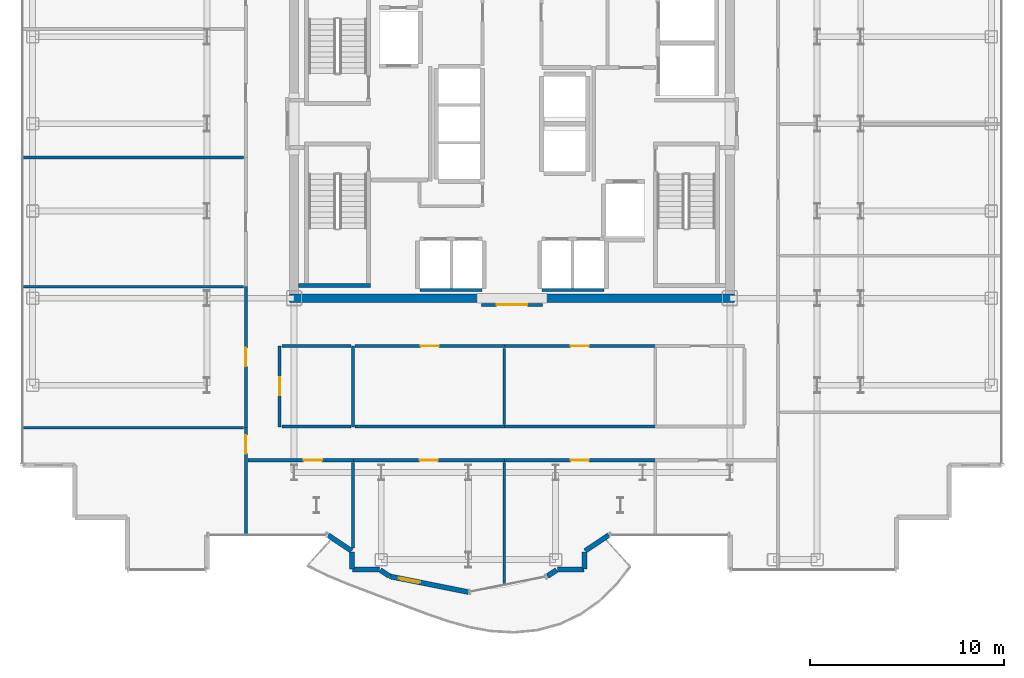
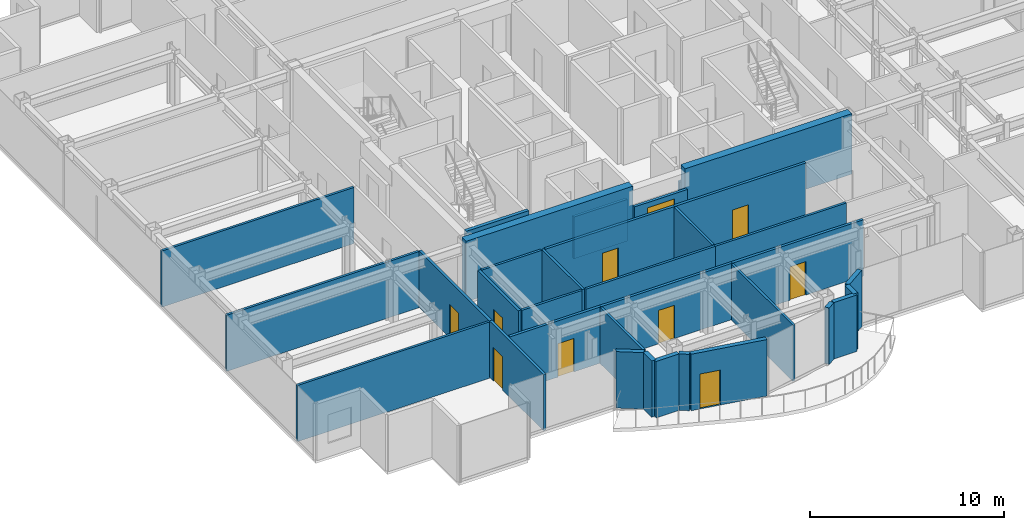
# One storey, part 14 of 21: 34 walls, 10 doors, 10 openings.
"""IFC4 building model written with IfcOpenShell, lengths in metres."""

import ifcopenshell
import ifcopenshell.guid

model = None  # the IFC model being written
_history = None  # IfcOwnerHistory: only IFC2X3 demands one
_inside = {}  # id of a spatial element -> (the spatial element, [elements in it])
_under = {}  # id of a project, library or spatial element -> (it, [spatial elements below it])
_declared = {}  # id of a project -> (the project, [libraries it declares])
_typed = {}  # id of a type object -> (the type object, [elements of that type])
_made_of = {}  # id of a material, layer set ... -> (it, [elements and type objects made of it])


def new_model(schema):
    """Start an empty IFC model of exactly this schema.

    Asked for "IFC4X3", IfcOpenShell would pick the latest addendum, in which some entities
    have other attributes; the version numbers below select the first issue.
    IFC2X3 requires an IfcOwnerHistory on every rooted entity: one is made here for all.
    """
    global model, _history
    if schema == "IFC4X3":
        model = ifcopenshell.file(schema_version=(4, 3, 0, 0))
    else:
        model = ifcopenshell.file(schema=schema)
    _inside.clear()
    _under.clear()
    _declared.clear()
    _typed.clear()
    _made_of.clear()
    _history = None
    if model.schema == "IFC2X3":
        org = make("IfcOrganization", Name="unknown")
        user = make(
            "IfcPersonAndOrganization",
            ThePerson=make("IfcPerson", FamilyName="unknown"),
            TheOrganization=org,
        )
        app = make(
            "IfcApplication",
            ApplicationDeveloper=org,
            Version="unknown",
            ApplicationFullName="unknown",
            ApplicationIdentifier="unknown",
        )
        _history = make(
            "IfcOwnerHistory",
            OwningUser=user,
            OwningApplication=app,
            ChangeAction="ADDED",
            CreationDate=0,
        )
    return model


def make(cls, **values):
    """One entity of the class cls with the attributes given. An attribute that is None is left unset."""
    return model.create_entity(
        cls, **{name: value for name, value in values.items() if value is not None}
    )


def rooted(cls, **values):
    """An entity with a GlobalId (a new one), such as an element, a storey or a relation."""
    return make(cls, GlobalId=ifcopenshell.guid.new(), OwnerHistory=_history, **values)


def si_unit(unit_type, name, prefix=None):
    """IfcSIUnit, for example si_unit("LENGTHUNIT", "METRE", prefix="MILLI")."""
    return make("IfcSIUnit", UnitType=unit_type, Prefix=prefix, Name=name)


def assignment(units):
    """IfcUnitAssignment: the units of a project."""
    return None if units is None else make("IfcUnitAssignment", Units=units)


def point(xyz):
    """IfcCartesianPoint."""
    return None if xyz is None else make("IfcCartesianPoint", Coordinates=xyz)


def direction(xyz):
    """IfcDirection."""
    return None if xyz is None else make("IfcDirection", DirectionRatios=xyz)


def frame(location, z_axis=None, x_axis=None):
    """IfcAxis2Placement3D, a coordinate frame: its origin and axes. An axis left out is left unset."""
    return make(
        "IfcAxis2Placement3D",
        Location=point(location),
        Axis=direction(z_axis),
        RefDirection=direction(x_axis),
    )


def frame_2d(location, x_axis=None):
    """IfcAxis2Placement2D, a coordinate frame in the plane: its origin and x axis."""
    return make(
        "IfcAxis2Placement2D", Location=point(location), RefDirection=direction(x_axis)
    )


def origin():
    """The frame at (0, 0, 0) with its axes left unset."""
    return frame((0.0, 0.0, 0.0))


def place(relative_to, where):
    """IfcLocalPlacement: puts the frame where relative to a parent placement (None: the world)."""
    return make(
        "IfcLocalPlacement", PlacementRelTo=relative_to, RelativePlacement=where
    )


def context(
    kind, dimensions, precision=None, world=None, true_north=None, identifier=None
):
    """IfcGeometricRepresentationContext, for example the 3D "Model" context."""
    return make(
        "IfcGeometricRepresentationContext",
        ContextIdentifier=identifier,
        ContextType=kind,
        CoordinateSpaceDimension=dimensions,
        Precision=precision,
        WorldCoordinateSystem=world,
        TrueNorth=true_north,
    )


def subcontext(parent, identifier, kind, view, scale=None):
    """IfcGeometricRepresentationSubContext, for example "Body" below "Model"."""
    return make(
        "IfcGeometricRepresentationSubContext",
        ContextIdentifier=identifier,
        ContextType=kind,
        ParentContext=parent,
        TargetScale=scale,
        TargetView=view,
    )


def project(units=None, contexts=None):
    """IfcProject with its units and contexts."""
    return rooted(
        "IfcProject",
        Name="project",
        RepresentationContexts=contexts,
        UnitsInContext=assignment(units),
    )


def spatial(cls, under=None, at=None, **own):
    """A site, building, storey or space (cls), placed at a placement, below another one or the project."""
    s = rooted(cls, ObjectPlacement=at, **own)
    if under is not None:
        _under.setdefault(under.id(), (under, []))[1].append(s)
    return s


def profile(cls, at=None, kind="AREA", **sizes):
    """A parametric profile (cls). Its sizes go by their IFC names, for example OverallWidth=200.0."""
    return make(cls, ProfileType=kind, Position=at, **sizes)


def rectangle(**sizes):
    """IfcRectangleProfileDef."""
    return profile("IfcRectangleProfileDef", **sizes)


def extrude(swept, where, along, depth):
    """IfcExtrudedAreaSolid: the profile swept, set in the frame where, extruded along a direction by depth."""
    return make(
        "IfcExtrudedAreaSolid",
        SweptArea=swept,
        Position=where,
        ExtrudedDirection=direction(along),
        Depth=depth,
    )


def shape(context_of_items, identifier, shape_type, items):
    """IfcShapeRepresentation: the items that make up one representation, for example the "Body"."""
    return make(
        "IfcShapeRepresentation",
        ContextOfItems=context_of_items,
        RepresentationIdentifier=identifier,
        RepresentationType=shape_type,
        Items=items,
    )


def source(mapping_origin, context_of_items, identifier, shape_type, items):
    """IfcRepresentationMap: a shape defined once, which mapped items show again and again."""
    return make(
        "IfcRepresentationMap",
        MappingOrigin=mapping_origin,
        MappedRepresentation=shape(context_of_items, identifier, shape_type, items),
    )


def transform(
    local_origin,
    x_axis=None,
    y_axis=None,
    z_axis=None,
    scale=None,
    scale2=None,
    scale3=None,
    uniform=True,
):
    """IfcCartesianTransformationOperator3D, or its non-uniform kind. x_axis, y_axis, z_axis: its Axis1, 2, 3."""
    if uniform:
        return make(
            "IfcCartesianTransformationOperator3D",
            Axis1=direction(x_axis),
            Axis2=direction(y_axis),
            LocalOrigin=point(local_origin),
            Scale=scale,
            Axis3=direction(z_axis),
        )
    return make(
        "IfcCartesianTransformationOperator3DnonUniform",
        Axis1=direction(x_axis),
        Axis2=direction(y_axis),
        LocalOrigin=point(local_origin),
        Scale=scale,
        Axis3=direction(z_axis),
        Scale2=scale2,
        Scale3=scale3,
    )


def mapped(mapping_source, mapping_target):
    """IfcMappedItem: shows the shape of a source again, moved by a transform."""
    return make(
        "IfcMappedItem", MappingSource=mapping_source, MappingTarget=mapping_target
    )


def material(Name=None, Category=None):
    """IfcMaterial."""
    return make("IfcMaterial", Name=Name, Category=Category)


def layer(
    of_material, thickness, ventilated=None, Name=None, Category=None, Priority=None
):
    """IfcMaterialLayer: one layer of a wall or slab, of a material (None: an air gap)."""
    return make(
        "IfcMaterialLayer",
        Material=of_material,
        LayerThickness=thickness,
        IsVentilated=ventilated,
        Name=Name,
        Category=Category,
        Priority=Priority,
    )


def layer_set(layers, Name=None):
    """IfcMaterialLayerSet."""
    return make("IfcMaterialLayerSet", MaterialLayers=layers, LayerSetName=Name)


def made_of(thing, what):
    """Note that an element or type object is made of a material, layer set ...; save() writes the relation."""
    if what is not None:
        _made_of.setdefault(what.id(), (what, []))[1].append(thing)
    return thing


def type_object(cls, material=None, **own):
    """A type object (cls), such as IfcWallType, which elements share."""
    return made_of(rooted(cls, **own), material)


def element(
    cls,
    number,
    at=None,
    inside=None,
    cuts=None,
    type_object=None,
    material=None,
    context=None,
    identifier="Body",
    shape_type=None,
    held_by="IfcProductDefinitionShape",
    body=None,
    shapes=None,
    **own,
):
    """One element of the class cls, such as IfcWall. Its Tag is "e" and its number.

    at: its placement. inside: the storey or other place that contains it. cuts: it is an
    opening in that element (IfcRelVoidsElement). A single representation is given by context,
    identifier, shape_type and body (its items); several are given by shapes. held_by: the class
    of the entity that holds the representations. save() writes the other relations.
    """
    e = rooted(cls, Tag="e%d" % number, ObjectPlacement=at, **own)
    if body is not None:
        shapes = [shape(context, identifier, shape_type, body)]
    if shapes is not None:
        e.Representation = make(held_by, Representations=shapes)
    if inside is not None:
        _inside.setdefault(inside.id(), (inside, []))[1].append(e)
    if cuts is not None:
        rooted(
            "IfcRelVoidsElement", RelatingBuildingElement=cuts, RelatedOpeningElement=e
        )
    if type_object is not None:
        _typed.setdefault(type_object.id(), (type_object, []))[1].append(e)
    return made_of(e, material)


def fill(opening, filler):
    """IfcRelFillsElement: the door or window that sits in an opening."""
    return rooted(
        "IfcRelFillsElement",
        RelatingOpeningElement=opening,
        RelatedBuildingElement=filler,
    )


def aggregate(whole, parts):
    """IfcRelAggregates: a whole, such as a stair, and the parts it consists of."""
    return rooted("IfcRelAggregates", RelatingObject=whole, RelatedObjects=parts)


def save(model, path):
    """Write the relations noted so far, then the file.

    IfcRelAggregates (storeys below a building ...), IfcRelContainedInSpatialStructure (elements
    in a storey), IfcRelDefinesByType, IfcRelAssociatesMaterial and IfcRelDeclares: one each for
    every whole, place, type object, material and project.
    """
    for whole, parts in _under.values():
        aggregate(whole, parts)
    for where, things in _inside.values():
        rooted(
            "IfcRelContainedInSpatialStructure",
            RelatedElements=things,
            RelatingStructure=where,
        )
    for kind, things in _typed.values():
        rooted("IfcRelDefinesByType", RelatedObjects=things, RelatingType=kind)
    for what, things in _made_of.values():
        rooted("IfcRelAssociatesMaterial", RelatedObjects=things, RelatingMaterial=what)
    for by, libraries in _declared.values():
        rooted("IfcRelDeclares", RelatingContext=by, RelatedDefinitions=libraries)
    model.write(path)


model = new_model("IFC4")

# Units and contexts
model_context = context("Model", 3, precision=1e-05, world=origin(), true_north=direction((0.0, 1.0)))
body_context = subcontext(model_context, "Body", "Model", "MODEL_VIEW")
ifc_project = project(units=[si_unit("LENGTHUNIT", "METRE"), si_unit("AREAUNIT", "SQUARE_METRE"), si_unit("VOLUMEUNIT", "CUBIC_METRE"), si_unit("PLANEANGLEUNIT", "RADIAN"), si_unit("MASSUNIT", "GRAM", prefix="KILO")], contexts=[model_context])

# Site, building, storey
site_placement = place(None, origin())
site = spatial("IfcSite", under=ifc_project, at=site_placement, CompositionType="ELEMENT")
building_placement = place(site_placement, origin())
building = spatial("IfcBuilding", under=site, at=building_placement, Name="Nefas-Gora Pilgrimage Tower", CompositionType="ELEMENT")
storey_placement = place(building_placement, frame((0.0, 0.0, 210.39990234375)))
storey = spatial("IfcBuildingStorey", under=building, at=storey_placement, Name="L52", CompositionType="ELEMENT", Elevation=210.39990234375)

# Walls
ifc_material_1 = material(Name="Concrete C50/60", Category="concrete")
ifc_layer_1 = layer(ifc_material_1, 0.449951171875)
ifc_layer_set_1 = layer_set([ifc_layer_1], Name="Concrete C50/60")
wall_type_1 = type_object("IfcWallType", Name="SW-CORE-450", PredefinedType="SHEAR", material=ifc_layer_set_1)
shared_shape_1 = source(origin(), body_context, "Body", "SweptSolid", [
    extrude(rectangle(XDim=9.925048828125, YDim=0.449951171875, at=frame_2d((4.96240234375, 0.0))), origin(), (0.0, 0.0, 1.0), 3.800048828125),
])
for number, where, z_axis, x_axis, name in (
    (1, (-11.47509765625, -9.0, 0.0), (0.0, 0.0, 1.0), (1.0, 0.0, 0.0), "L52 Core Shear Wall S-West"),
    (2, (1.550048828125, -9.0, 0.0), (0.0, 0.0, 1.0), (1.0, 0.0, 0.0), "L52 Core Shear Wall S-East"),
):
    element("IfcWall", number, at=place(storey_placement, frame(where, z_axis=z_axis, x_axis=x_axis)), inside=storey, type_object=wall_type_1, Name=name, PredefinedType="SHEAR", context=body_context, shape_type="MappedRepresentation", body=[
        mapped(shared_shape_1, transform((0.0, 0.0, 0.0), x_axis=(1.0, 0.0, 0.0), y_axis=(0.0, 1.0, 0.0), z_axis=(0.0, 0.0, 1.0), scale=1.0)),
    ])
ifc_material_2 = material(Name="Precast concrete C40/50", Category="concrete")
ifc_layer_2 = layer(ifc_material_2, 0.260009765625)
ifc_layer_set_2 = layer_set([ifc_layer_2], Name="Precast concrete C40/50")
wall_type_2 = type_object("IfcWallType", Name="EW-PORTAL-260", PredefinedType="SOLIDWALL", material=ifc_layer_set_2)
shared_shape_2 = source(origin(), body_context, "Body", "SweptSolid", [
    extrude(rectangle(XDim=1.468994140625, YDim=0.260009765625, at=frame_2d((0.734375, 0.0))), origin(), (0.0, 0.0, 1.0), 3.550048828125),
])
for number, where, z_axis, x_axis, name in (
    (3, (-9.49462890625, -21.235595703125, 0.0), (0.0, 0.0, 1.0), (0.831461760506, -0.555581983884, 0.0), "L52 Lobe Shoulder Precast Spandrel Pier 30"),
    (4, (3.773193359375, -22.0517578125, 0.0), (0.0, 0.0, 1.0), (0.831461760506, 0.555581983884, 0.0), "L52 Lobe Shoulder Precast Spandrel Pier 38"),
):
    element("IfcWall", number, at=place(storey_placement, frame(where, z_axis=z_axis, x_axis=x_axis)), inside=storey, type_object=wall_type_2, Name=name, PredefinedType="SOLIDWALL", context=body_context, shape_type="MappedRepresentation", body=[
        mapped(shared_shape_2, transform((0.0, 0.0, 0.0), x_axis=(1.0, 0.0, 0.0), y_axis=(0.0, 1.0, 0.0), z_axis=(0.0, 0.0, 1.0), scale=1.0)),
    ])
shared_shape_3 = source(origin(), body_context, "Body", "SweptSolid", [
    extrude(rectangle(XDim=0.896728515625, YDim=0.260009765625, at=frame_2d((0.4482421875, 0.0))), origin(), (0.0, 0.0, 1.0), 3.550048828125),
])
for number, where, z_axis, x_axis, name in (
    (5, (-8.25, -22.09521484375, 0.0), (0.0, 0.0, 1.0), (0.0, -1.0, 0.0), "L52 Lobe Shoulder Precast Spandrel Pier 31"),
    (6, (3.75, -22.991943359375, 0.0), (0.0, 0.0, 1.0), (0.0, 1.0, 0.0), "L52 Lobe Shoulder Precast Spandrel Pier 37"),
):
    element("IfcWall", number, at=place(storey_placement, frame(where, z_axis=z_axis, x_axis=x_axis)), inside=storey, type_object=wall_type_2, Name=name, PredefinedType="SOLIDWALL", context=body_context, shape_type="MappedRepresentation", body=[
        mapped(shared_shape_3, transform((0.0, 0.0, 0.0), x_axis=(1.0, 0.0, 0.0), y_axis=(0.0, 1.0, 0.0), z_axis=(0.0, 0.0, 1.0), scale=1.0)),
    ])
shared_shape_4 = source(origin(), body_context, "Body", "SweptSolid", [
    extrude(rectangle(XDim=1.369873046875, YDim=0.260009765625, at=frame_2d((0.68505859375, 0.0))), origin(), (0.0, 0.0, 1.0), 3.550048828125),
])
for number, where, z_axis, x_axis, name in (
    (7, (-8.221923828125, -23.02001953125, 0.0), (0.0, 0.0, 1.0), (1.0, 0.0, 0.0), "L52 Lobe Shoulder Precast Spandrel Pier 32"),
    (8, (2.35205078125, -23.02001953125, 0.0), (0.0, 0.0, 1.0), (1.0, 0.0, 0.0), "L52 Lobe Shoulder Precast Spandrel Pier 36"),
):
    element("IfcWall", number, at=place(storey_placement, frame(where, z_axis=z_axis, x_axis=x_axis)), inside=storey, type_object=wall_type_2, Name=name, PredefinedType="SOLIDWALL", context=body_context, shape_type="MappedRepresentation", body=[
        mapped(shared_shape_4, transform((0.0, 0.0, 0.0), x_axis=(1.0, 0.0, 0.0), y_axis=(0.0, 1.0, 0.0), z_axis=(0.0, 0.0, 1.0), scale=1.0)),
    ])
shared_shape_5 = source(origin(), body_context, "Body", "SweptSolid", [
    extrude(rectangle(XDim=0.5654296875, YDim=0.260009765625, at=frame_2d((0.28271484375, 0.0))), origin(), (0.0, 0.0, 1.0), 3.550048828125),
])
for number, where, z_axis, x_axis, name in (
    (9, (-6.80078125, -23.03564453125, 0.0), (0.0, 0.0, 1.0), (0.831651492666, -0.555297933317, 0.0), "L52 Lobe Shoulder Precast Spandrel Pier 33"),
    (10, (1.83056640625, -23.349609375, 0.0), (0.0, 0.0, 1.0), (0.831651492666, 0.555297933317, 0.0), "L52 Lobe Shoulder Precast Spandrel Pier 35"),
):
    element("IfcWall", number, at=place(storey_placement, frame(where, z_axis=z_axis, x_axis=x_axis)), inside=storey, type_object=wall_type_2, Name=name, PredefinedType="SOLIDWALL", context=body_context, shape_type="MappedRepresentation", body=[
        mapped(shared_shape_5, transform((0.0, 0.0, 0.0), x_axis=(1.0, 0.0, 0.0), y_axis=(0.0, 1.0, 0.0), z_axis=(0.0, 0.0, 1.0), scale=1.0)),
    ])

# Wall, opening, door
shared_shape_6 = source(origin(), body_context, "Body", "SweptSolid", [
    extrude(rectangle(XDim=4.136962890625, YDim=0.260009765625, at=frame_2d((2.068359375, 0.0))), origin(), (0.0, 0.0, 1.0), 3.550048828125),
])
wall_1_placement = place(storey_placement, frame((-6.307373046875, -23.365234375, 0.0), z_axis=(0.0, 0.0, 1.0), x_axis=(0.980782170794, -0.195105954428, 0.0)))
wall_1 = element("IfcWall", 11, at=wall_1_placement, inside=storey, type_object=wall_type_2, Name="L52 Insulated Terrace Portal Wall 34", PredefinedType="SOLIDWALL", context=body_context, shape_type="MappedRepresentation", body=[
    mapped(shared_shape_6, transform((0.0, 0.0, 0.0), x_axis=(1.0, 0.0, 0.0), y_axis=(0.0, 1.0, 0.0), z_axis=(0.0, 0.0, 1.0), scale=1.0)),
])
opening_1_placement = place(wall_1_placement, frame((0.48779296875, 0.0, 0.0)))
opening_1 = element("IfcOpeningElement", 12, at=opening_1_placement, cuts=wall_1, Name="Opening ED-B1", PredefinedType="OPENING", context=body_context, shape_type="SweptSolid", body=[
    extrude(rectangle(XDim=1.10009765625, YDim=2.199951171875, at=frame_2d((0.550048828125, 1.10009765625))), frame((0.0, 0.139892578125, 0.0), z_axis=(0.0, -1.0, 0.0), x_axis=(1.0, 0.0, 0.0)), (0.0, 0.0, 1.0), 0.280029296875),
])
ifc_material_3 = material(Name="Thermally broken glazed aluminium balcony door", Category="aluminium")
door_type_1 = type_object("IfcDoorType", Name="DR-EXT-BAL-1100", OperationType="NOTDEFINED", PredefinedType="DOOR", material=ifc_material_3)
shared_shape_7 = source(origin(), body_context, "Body", "SweptSolid", [
    extrude(rectangle(XDim=1.10009765625, YDim=2.199951171875, at=frame_2d((0.550048828125, 1.10009765625))), frame((0.0, 0.02490234375, 0.0), z_axis=(0.0, -1.0, 0.0), x_axis=(1.0, 0.0, 0.0)), (0.0, 0.0, 1.0), 0.050048828125),
])
door_1_placement = place(opening_1_placement, origin())
door_1 = element("IfcDoor", 13, at=door_1_placement, inside=storey, type_object=door_type_1, Name="L52 Exterior Door (L52 S Lobe Wave Balcony)", OperationType="SINGLE_SWING_RIGHT", OverallHeight=2.199951171875, OverallWidth=1.10009765625, PredefinedType="DOOR", context=body_context, shape_type="MappedRepresentation", body=[
    mapped(shared_shape_7, transform((0.0, 0.0, 0.0), x_axis=(1.0, 0.0, 0.0), y_axis=(0.0, 1.0, 0.0), z_axis=(0.0, 0.0, 1.0), scale=1.0)),
])
fill(opening_1, door_1)

# Walls
ifc_material_4 = material(Name="Concrete C45/55", Category="concrete")
ifc_layer_3 = layer(ifc_material_4, 0.199951171875)
ifc_layer_set_3 = layer_set([ifc_layer_3], Name="Concrete C45/55")
wall_type_3 = type_object("IfcWallType", Name="IW-STAIR-200", PredefinedType="SOLIDWALL", material=ifc_layer_set_3)
shared_shape_8 = source(origin(), body_context, "Body", "SweptSolid", [
    extrude(rectangle(XDim=3.72998046875, YDim=0.199951171875, at=frame_2d((1.864990234375, 0.0))), origin(), (0.0, 0.0, 1.0), 3.800048828125),
])
wall_2_placement = place(storey_placement, frame((-11.030029296875, -8.35009765625, 0.0), z_axis=(0.0, 0.0, 1.0), x_axis=(1.0, 0.0, 0.0)))
element("IfcWall", 14, at=wall_2_placement, inside=storey, type_object=wall_type_3, Name="L52 Stairwell Shear Wall ST-03-far", PredefinedType="SOLIDWALL", context=body_context, shape_type="MappedRepresentation", body=[
    mapped(shared_shape_8, transform((0.0, 0.0, 0.0), x_axis=(1.0, 0.0, 0.0), y_axis=(0.0, 1.0, 0.0), z_axis=(0.0, 0.0, 1.0), scale=1.0)),
])
ifc_material_5 = material(Name="Gypsum acoustic stud partition")
ifc_layer_4 = layer(ifc_material_5, 0.159912109375)
ifc_layer_set_4 = layer_set([ifc_layer_4], Name="Gypsum acoustic stud partition")
wall_type_4 = type_object("IfcWallType", Name="IW-CORR-160", PredefinedType="PARTITIONING", material=ifc_layer_set_4)
shared_shape_9 = source(origin(), body_context, "Body", "SweptSolid", [
    extrude(rectangle(XDim=3.199951171875, YDim=0.159912109375, at=frame_2d((1.60009765625, 0.0))), origin(), (0.0, 0.0, 1.0), 2.625),
])
for number, where, z_axis, x_axis, name in (
    (15, (-4.75, -8.580078125, 0.0), (0.0, 0.0, 1.0), (1.0, 0.0, 0.0), "L52 Hoistway Wall PL2-W-S"),
    (16, (1.550048828125, -8.580078125, 0.0), (0.0, 0.0, 1.0), (1.0, 0.0, 0.0), "L52 Hoistway Wall PL2-E-S"),
):
    element("IfcWall", number, at=place(storey_placement, frame(where, z_axis=z_axis, x_axis=x_axis)), inside=storey, type_object=wall_type_4, Name=name, PredefinedType="PARTITIONING", context=body_context, shape_type="MappedRepresentation", body=[
        mapped(shared_shape_9, transform((0.0, 0.0, 0.0), x_axis=(1.0, 0.0, 0.0), y_axis=(0.0, 1.0, 0.0), z_axis=(0.0, 0.0, 1.0), scale=1.0)),
    ])

# Wall, opening, door
shared_shape_10 = source(origin(), body_context, "Body", "SweptSolid", [
    extrude(rectangle(XDim=5.425048828125, YDim=0.159912109375, at=frame_2d((2.71240234375, 0.0))), origin(), (0.0, 0.0, 1.0), 3.53515625),
])
wall_3_placement = place(storey_placement, frame((-13.6201171875, -17.3701171875, 0.0), z_axis=(0.0, 0.0, 1.0), x_axis=(1.0, 0.0, 0.0)))
wall_3 = element("IfcWall", 17, at=wall_3_placement, inside=storey, type_object=wall_type_4, Name="L52 Pilgrim Contemplative Lounge Partition Wall 68", PredefinedType="PARTITIONING", context=body_context, shape_type="MappedRepresentation", body=[
    mapped(shared_shape_10, transform((0.0, 0.0, 0.0), x_axis=(1.0, 0.0, 0.0), y_axis=(0.0, 1.0, 0.0), z_axis=(0.0, 0.0, 1.0), scale=1.0)),
])
opening_2_placement = place(wall_3_placement, frame((2.864013671875, 0.0, 0.0)))
opening_2 = element("IfcOpeningElement", 18, at=opening_2_placement, cuts=wall_3, Name="Opening ID-GR1", PredefinedType="OPENING", context=body_context, shape_type="SweptSolid", body=[
    extrude(rectangle(XDim=0.949951171875, YDim=2.10009765625, at=frame_2d((0.47509765625, 1.050048828125))), frame((0.0, 0.08984375, 0.0), z_axis=(0.0, -1.0, 0.0), x_axis=(1.0, 0.0, 0.0)), (0.0, 0.0, 1.0), 0.179931640625),
])
ifc_material_6 = material(Name="Solid core oak fire-rated guest entrance door")
door_type_2 = type_object("IfcDoorType", Name="DR-INT-GUEST-950", OperationType="NOTDEFINED", PredefinedType="DOOR", material=ifc_material_6)
shared_shape_11 = source(origin(), body_context, "Body", "SweptSolid", [
    extrude(rectangle(XDim=0.949951171875, YDim=2.10009765625, at=frame_2d((0.47509765625, 1.050048828125))), frame((0.0, 0.02490234375, 0.0), z_axis=(0.0, -1.0, 0.0), x_axis=(1.0, 0.0, 0.0)), (0.0, 0.0, 1.0), 0.050048828125),
])
door_2_placement = place(opening_2_placement, origin())
door_2 = element("IfcDoor", 19, at=door_2_placement, inside=storey, type_object=door_type_2, Name="L52 Pilgrim Contemplative Lounge Door 31", OperationType="SINGLE_SWING_LEFT", OverallHeight=2.10009765625, OverallWidth=0.949951171875, PredefinedType="DOOR", context=body_context, shape_type="MappedRepresentation", body=[
    mapped(shared_shape_11, transform((0.0, 0.0, 0.0), x_axis=(1.0, 0.0, 0.0), y_axis=(0.0, 1.0, 0.0), z_axis=(0.0, 0.0, 1.0), scale=1.0)),
])
fill(opening_2, door_2)

# Walls
ifc_material_7 = material(Name="Gypsum twin-stud partition")
ifc_layer_5 = layer(ifc_material_7, 0.139892578125)
ifc_layer_set_5 = layer_set([ifc_layer_5], Name="Gypsum twin-stud partition")
wall_type_5 = type_object("IfcWallType", Name="IW-UNIT-140", PredefinedType="PARTITIONING", material=ifc_layer_set_5)
shared_shape_12 = source(origin(), body_context, "Body", "SweptSolid", [
    extrude(rectangle(XDim=11.429931640625, YDim=0.139892578125, at=frame_2d((5.71484375, 0.0))), origin(), (0.0, 0.0, 1.0), 3.53515625),
])
for number, where, z_axis, x_axis, name in (
    (20, (-25.2900390625, -15.697509765625, 0.0), (0.0, 0.0, 1.0), (1.0, 0.0, 0.0), "L52 Pilgrim Tea and Beverage Pantry Partition Wall 29"),
    (21, (-25.2900390625, -8.405029296875, 0.0), (0.0, 0.0, 1.0), (1.0, 0.0, 0.0), "L52 Pilgrim Tea and Beverage Pantry Partition Wall 31"),
    (22, (-25.2900390625, -1.739990234375, 0.0), (0.0, 0.0, 1.0), (1.0, 0.0, 0.0), "L52 Pilgrim Tea and Beverage Pantry Partition Wall 34"),
):
    element("IfcWall", number, at=place(storey_placement, frame(where, z_axis=z_axis, x_axis=x_axis)), inside=storey, type_object=wall_type_5, Name=name, PredefinedType="PARTITIONING", context=body_context, shape_type="MappedRepresentation", body=[
        mapped(shared_shape_12, transform((0.0, 0.0, 0.0), x_axis=(1.0, 0.0, 0.0), y_axis=(0.0, 1.0, 0.0), z_axis=(0.0, 0.0, 1.0), scale=1.0)),
    ])

# Wall, opening, door
shared_shape_13 = source(origin(), body_context, "Body", "SweptSolid", [
    extrude(rectangle(XDim=7.29248046875, YDim=0.159912109375, at=frame_2d((3.646240234375, 0.0))), origin(), (0.0, 0.0, 1.0), 3.53515625),
])
wall_4_placement = place(storey_placement, frame((-13.739990234375, -15.6875, 0.0), z_axis=(0.0, 0.0, 1.0), x_axis=(0.0, 1.0, 0.0)))
wall_4 = element("IfcWall", 23, at=wall_4_placement, inside=storey, type_object=wall_type_4, Name="L52 Pilgrim Tea and Beverage Pantry Partition Wall 30", PredefinedType="PARTITIONING", context=body_context, shape_type="MappedRepresentation", body=[
    mapped(shared_shape_13, transform((0.0, 0.0, 0.0), x_axis=(1.0, 0.0, 0.0), y_axis=(0.0, 1.0, 0.0), z_axis=(0.0, 0.0, 1.0), scale=1.0)),
])
opening_3_placement = place(wall_4_placement, frame((3.17138671875, 0.0, 0.0)))
opening_3 = element("IfcOpeningElement", 24, at=opening_3_placement, cuts=wall_4, Name="Opening ID-GR1", PredefinedType="OPENING", context=body_context, shape_type="SweptSolid", body=[
    extrude(rectangle(XDim=0.949951171875, YDim=2.10009765625, at=frame_2d((0.47509765625, 1.050048828125))), frame((0.0, 0.08984375, 0.0), z_axis=(0.0, -1.0, 0.0), x_axis=(1.0, 0.0, 0.0)), (0.0, 0.0, 1.0), 0.179931640625),
])
door_3_placement = place(opening_3_placement, origin())
door_3 = element("IfcDoor", 25, at=door_3_placement, inside=storey, type_object=door_type_2, Name="L52 Pilgrim Tea and Beverage Pantry Door 12", OperationType="SINGLE_SWING_RIGHT", OverallHeight=2.10009765625, OverallWidth=0.949951171875, PredefinedType="DOOR", context=body_context, shape_type="MappedRepresentation", body=[
    mapped(shared_shape_11, transform((0.0, 0.0, 0.0), x_axis=(1.0, 0.0, 0.0), y_axis=(0.0, 1.0, 0.0), z_axis=(0.0, 0.0, 1.0), scale=1.0)),
])
fill(opening_3, door_3)

# Walls
shared_shape_14 = source(origin(), body_context, "Body", "SweptSolid", [
    extrude(rectangle(XDim=3.929931640625, YDim=0.139892578125, at=frame_2d((1.96484375, 0.0))), origin(), (0.0, 0.0, 1.0), 3.53515625),
])
wall_5_placement = place(storey_placement, frame((-0.405029296875, -15.52001953125, 0.0), z_axis=(0.0, 0.0, 1.0), x_axis=(0.0, 1.0, 0.0)))
element("IfcWall", 26, at=wall_5_placement, inside=storey, type_object=wall_type_5, Name="L52 Pilgrim Contemplative Lounge Partition Wall 78", PredefinedType="PARTITIONING", context=body_context, shape_type="MappedRepresentation", body=[
    mapped(shared_shape_14, transform((0.0, 0.0, 0.0), x_axis=(1.0, 0.0, 0.0), y_axis=(0.0, 1.0, 0.0), z_axis=(0.0, 0.0, 1.0), scale=1.0)),
])
shared_shape_15 = source(origin(), body_context, "Body", "SweptSolid", [
    extrude(rectangle(XDim=4.179931640625, YDim=0.139892578125, at=frame_2d((2.08984375, 0.0))), origin(), (0.0, 0.0, 1.0), 3.53515625),
])
wall_6_placement = place(storey_placement, frame((-8.205078125, -15.639892578125, 0.0), z_axis=(0.0, 0.0, 1.0), x_axis=(0.0, 1.0, 0.0)))
element("IfcWall", 27, at=wall_6_placement, inside=storey, type_object=wall_type_5, Name="L52 Pilgrim Contemplative Lounge Partition Wall 71", PredefinedType="PARTITIONING", context=body_context, shape_type="MappedRepresentation", body=[
    mapped(shared_shape_15, transform((0.0, 0.0, 0.0), x_axis=(1.0, 0.0, 0.0), y_axis=(0.0, 1.0, 0.0), z_axis=(0.0, 0.0, 1.0), scale=1.0)),
])

# Wall, opening, door
shared_shape_16 = source(origin(), body_context, "Body", "SweptSolid", [
    extrude(rectangle(XDim=4.179931640625, YDim=0.159912109375, at=frame_2d((2.08984375, 0.0))), origin(), (0.0, 0.0, 1.0), 3.53515625),
])
wall_7_placement = place(storey_placement, frame((-12.0, -15.639892578125, 0.0), z_axis=(0.0, 0.0, 1.0), x_axis=(0.0, 1.0, 0.0)))
wall_7 = element("IfcWall", 28, at=wall_7_placement, inside=storey, type_object=wall_type_4, Name="L52 Pilgrim Contemplative Lounge Partition Wall 70", PredefinedType="PARTITIONING", context=body_context, shape_type="MappedRepresentation", body=[
    mapped(shared_shape_16, transform((0.0, 0.0, 0.0), x_axis=(1.0, 0.0, 0.0), y_axis=(0.0, 1.0, 0.0), z_axis=(0.0, 0.0, 1.0), scale=1.0)),
])
opening_4_placement = place(wall_7_placement, frame((1.614990234375, 0.0, 0.0)))
opening_4 = element("IfcOpeningElement", 29, at=opening_4_placement, cuts=wall_7, Name="Opening ID-GR1", PredefinedType="OPENING", context=body_context, shape_type="SweptSolid", body=[
    extrude(rectangle(XDim=0.949951171875, YDim=2.10009765625, at=frame_2d((0.47509765625, 1.050048828125))), frame((0.0, 0.08984375, 0.0), z_axis=(0.0, -1.0, 0.0), x_axis=(1.0, 0.0, 0.0)), (0.0, 0.0, 1.0), 0.179931640625),
])
door_4_placement = place(opening_4_placement, origin())
door_4 = element("IfcDoor", 30, at=door_4_placement, inside=storey, type_object=door_type_2, Name="L52 Pilgrim Contemplative Lounge Door 32", OperationType="SINGLE_SWING_RIGHT", OverallHeight=2.10009765625, OverallWidth=0.949951171875, PredefinedType="DOOR", context=body_context, shape_type="MappedRepresentation", body=[
    mapped(shared_shape_11, transform((0.0, 0.0, 0.0), x_axis=(1.0, 0.0, 0.0), y_axis=(0.0, 1.0, 0.0), z_axis=(0.0, 0.0, 1.0), scale=1.0)),
])
fill(opening_4, door_4)

shared_shape_17 = source(origin(), body_context, "Body", "SweptSolid", [
    extrude(rectangle(XDim=7.81005859375, YDim=0.159912109375, at=frame_2d((3.905029296875, 0.0))), origin(), (0.0, 0.0, 1.0), 3.53515625),
])
wall_8_placement = place(storey_placement, frame((-8.205078125, -17.3701171875, 0.0), z_axis=(0.0, 0.0, 1.0), x_axis=(1.0, 0.0, 0.0)))
wall_8 = element("IfcWall", 31, at=wall_8_placement, inside=storey, type_object=wall_type_4, Name="L52 Pilgrim Contemplative Lounge Partition Wall 74", PredefinedType="PARTITIONING", context=body_context, shape_type="MappedRepresentation", body=[
    mapped(shared_shape_17, transform((0.0, 0.0, 0.0), x_axis=(1.0, 0.0, 0.0), y_axis=(0.0, 1.0, 0.0), z_axis=(0.0, 0.0, 1.0), scale=1.0)),
])
opening_5_placement = place(wall_8_placement, frame((3.429931640625, 0.0, 0.0)))
opening_5 = element("IfcOpeningElement", 32, at=opening_5_placement, cuts=wall_8, Name="Opening ID-GR1", PredefinedType="OPENING", context=body_context, shape_type="SweptSolid", body=[
    extrude(rectangle(XDim=0.949951171875, YDim=2.10009765625, at=frame_2d((0.47509765625, 1.050048828125))), frame((0.0, 0.08984375, 0.0), z_axis=(0.0, -1.0, 0.0), x_axis=(1.0, 0.0, 0.0)), (0.0, 0.0, 1.0), 0.179931640625),
])
door_5_placement = place(opening_5_placement, origin())
door_5 = element("IfcDoor", 33, at=door_5_placement, inside=storey, type_object=door_type_2, Name="L52 Pilgrim Contemplative Lounge Door 33", OperationType="SINGLE_SWING_LEFT", OverallHeight=2.10009765625, OverallWidth=0.949951171875, PredefinedType="DOOR", context=body_context, shape_type="MappedRepresentation", body=[
    mapped(shared_shape_11, transform((0.0, 0.0, 0.0), x_axis=(1.0, 0.0, 0.0), y_axis=(0.0, 1.0, 0.0), z_axis=(0.0, 0.0, 1.0), scale=1.0)),
])
fill(opening_5, door_5)

wall_9_placement = place(storey_placement, frame((-0.405029296875, -17.3701171875, 0.0), z_axis=(0.0, 0.0, 1.0), x_axis=(1.0, 0.0, 0.0)))
wall_9 = element("IfcWall", 34, at=wall_9_placement, inside=storey, type_object=wall_type_4, Name="L52 Pilgrim Contemplative Lounge Partition Wall 79", PredefinedType="PARTITIONING", context=body_context, shape_type="MappedRepresentation", body=[
    mapped(shared_shape_17, transform((0.0, 0.0, 0.0), x_axis=(1.0, 0.0, 0.0), y_axis=(0.0, 1.0, 0.0), z_axis=(0.0, 0.0, 1.0), scale=1.0)),
])
opening_6_placement = place(wall_9_placement, frame((3.429931640625, 0.0, 0.0)))
opening_6 = element("IfcOpeningElement", 35, at=opening_6_placement, cuts=wall_9, Name="Opening ID-GR1", PredefinedType="OPENING", context=body_context, shape_type="SweptSolid", body=[
    extrude(rectangle(XDim=0.949951171875, YDim=2.10009765625, at=frame_2d((0.47509765625, 1.050048828125))), frame((0.0, 0.08984375, 0.0), z_axis=(0.0, -1.0, 0.0), x_axis=(1.0, 0.0, 0.0)), (0.0, 0.0, 1.0), 0.179931640625),
])
door_6_placement = place(opening_6_placement, origin())
door_6 = element("IfcDoor", 36, at=door_6_placement, inside=storey, type_object=door_type_2, Name="L52 Pilgrim Contemplative Lounge Door 35", OperationType="SINGLE_SWING_LEFT", OverallHeight=2.10009765625, OverallWidth=0.949951171875, PredefinedType="DOOR", context=body_context, shape_type="MappedRepresentation", body=[
    mapped(shared_shape_11, transform((0.0, 0.0, 0.0), x_axis=(1.0, 0.0, 0.0), y_axis=(0.0, 1.0, 0.0), z_axis=(0.0, 0.0, 1.0), scale=1.0)),
])
fill(opening_6, door_6)

wall_10_placement = place(storey_placement, frame((-0.405029296875, -11.469970703125, 0.0), z_axis=(0.0, 0.0, 1.0), x_axis=(1.0, 0.0, 0.0)))
wall_10 = element("IfcWall", 37, at=wall_10_placement, inside=storey, type_object=wall_type_4, Name="L52 Pilgrim Contemplative Lounge Partition Wall 81", PredefinedType="PARTITIONING", context=body_context, shape_type="MappedRepresentation", body=[
    mapped(shared_shape_17, transform((0.0, 0.0, 0.0), x_axis=(1.0, 0.0, 0.0), y_axis=(0.0, 1.0, 0.0), z_axis=(0.0, 0.0, 1.0), scale=1.0)),
])
opening_7_placement = place(wall_10_placement, frame((3.429931640625, 0.0, 0.0)))
opening_7 = element("IfcOpeningElement", 38, at=opening_7_placement, cuts=wall_10, Name="Opening ID-GR1", PredefinedType="OPENING", context=body_context, shape_type="SweptSolid", body=[
    extrude(rectangle(XDim=0.949951171875, YDim=2.10009765625, at=frame_2d((0.47509765625, 1.050048828125))), frame((0.0, 0.08984375, 0.0), z_axis=(0.0, -1.0, 0.0), x_axis=(1.0, 0.0, 0.0)), (0.0, 0.0, 1.0), 0.179931640625),
])
door_7_placement = place(opening_7_placement, origin())
door_7 = element("IfcDoor", 39, at=door_7_placement, inside=storey, type_object=door_type_2, Name="L52 Pilgrim Contemplative Lounge Door 36", OperationType="SINGLE_SWING_RIGHT", OverallHeight=2.10009765625, OverallWidth=0.949951171875, PredefinedType="DOOR", context=body_context, shape_type="MappedRepresentation", body=[
    mapped(shared_shape_11, transform((0.0, 0.0, 0.0), x_axis=(1.0, 0.0, 0.0), y_axis=(0.0, 1.0, 0.0), z_axis=(0.0, 0.0, 1.0), scale=1.0)),
])
fill(opening_7, door_7)

# Wall
shared_shape_18 = source(origin(), body_context, "Body", "SweptSolid", [
    extrude(rectangle(XDim=7.81005859375, YDim=0.139892578125, at=frame_2d((3.905029296875, 0.0))), origin(), (0.0, 0.0, 1.0), 3.53515625),
])
wall_11_placement = place(storey_placement, frame((-0.405029296875, -15.6298828125, 0.0), z_axis=(0.0, 0.0, 1.0), x_axis=(1.0, 0.0, 0.0)))
element("IfcWall", 40, at=wall_11_placement, inside=storey, type_object=wall_type_5, Name="L52 Pilgrim Contemplative Lounge Partition Wall 82", PredefinedType="PARTITIONING", context=body_context, shape_type="MappedRepresentation", body=[
    mapped(shared_shape_18, transform((0.0, 0.0, 0.0), x_axis=(1.0, 0.0, 0.0), y_axis=(0.0, 1.0, 0.0), z_axis=(0.0, 0.0, 1.0), scale=1.0)),
])

# Wall, opening, door
shared_shape_19 = source(origin(), body_context, "Body", "SweptSolid", [
    extrude(rectangle(XDim=3.16015625, YDim=0.159912109375, at=frame_2d((1.580078125, 0.0))), origin(), (0.0, 0.0, 1.0), 2.625),
])
wall_12_placement = place(storey_placement, frame((-1.580078125, -9.35009765625, 0.0), z_axis=(0.0, 0.0, 1.0), x_axis=(1.0, 0.0, 0.0)))
wall_12 = element("IfcWall", 41, at=wall_12_placement, inside=storey, type_object=wall_type_4, Name="L52 Central Lift Lobby South Portal Wall 16", PredefinedType="PARTITIONING", context=body_context, shape_type="MappedRepresentation", body=[
    mapped(shared_shape_19, transform((0.0, 0.0, 0.0), x_axis=(1.0, 0.0, 0.0), y_axis=(0.0, 1.0, 0.0), z_axis=(0.0, 0.0, 1.0), scale=1.0)),
])
opening_8_placement = place(wall_12_placement, frame((0.780029296875, 0.0, 0.0)))
opening_8 = element("IfcOpeningElement", 42, at=opening_8_placement, cuts=wall_12, Name="Opening ID-HL1", PredefinedType="OPENING", context=body_context, shape_type="SweptSolid", body=[
    extrude(rectangle(XDim=1.60009765625, YDim=2.300048828125, at=frame_2d((0.800048828125, 1.14990234375))), frame((0.0, 0.08984375, 0.0), z_axis=(0.0, -1.0, 0.0), x_axis=(1.0, 0.0, 0.0)), (0.0, 0.0, 1.0), 0.179931640625),
])
ifc_material_8 = material(Name="Double acoustic timber assembly hall door", Category="wood")
door_type_3 = type_object("IfcDoorType", Name="DR-INT-HALL-1600", OperationType="DOUBLE_DOOR_SINGLE_SWING", PredefinedType="DOOR", material=ifc_material_8)
shared_shape_20 = source(origin(), body_context, "Body", "SweptSolid", [
    extrude(rectangle(XDim=1.60009765625, YDim=2.300048828125, at=frame_2d((0.800048828125, 1.14990234375))), frame((0.0, 0.02490234375, 0.0), z_axis=(0.0, -1.0, 0.0), x_axis=(1.0, 0.0, 0.0)), (0.0, 0.0, 1.0), 0.050048828125),
])
door_8_placement = place(opening_8_placement, origin())
door_8 = element("IfcDoor", 43, at=door_8_placement, inside=storey, type_object=door_type_3, Name="L52 Central Lift Lobby South Portal Door 6", OperationType="DOUBLE_DOOR_SINGLE_SWING", OverallHeight=2.300048828125, OverallWidth=1.60009765625, PredefinedType="DOOR", context=body_context, shape_type="MappedRepresentation", body=[
    mapped(shared_shape_20, transform((0.0, 0.0, 0.0), x_axis=(1.0, 0.0, 0.0), y_axis=(0.0, 1.0, 0.0), z_axis=(0.0, 0.0, 1.0), scale=1.0)),
])
fill(opening_8, door_8)

shared_shape_21 = source(origin(), body_context, "Body", "SweptSolid", [
    extrude(rectangle(XDim=5.552490234375, YDim=0.159912109375, at=frame_2d((2.7763671875, 0.0))), origin(), (0.0, 0.0, 1.0), 3.53515625),
])
wall_13_placement = place(storey_placement, frame((-13.739990234375, -21.239990234375, 0.0), z_axis=(0.0, 0.0, 1.0), x_axis=(0.0, 1.0, 0.0)))
wall_13 = element("IfcWall", 44, at=wall_13_placement, inside=storey, type_object=wall_type_4, Name="L52 Pilgrim Tea and Beverage Pantry Partition Wall 28", PredefinedType="PARTITIONING", context=body_context, shape_type="MappedRepresentation", body=[
    mapped(shared_shape_21, transform((0.0, 0.0, 0.0), x_axis=(1.0, 0.0, 0.0), y_axis=(0.0, 1.0, 0.0), z_axis=(0.0, 0.0, 1.0), scale=1.0)),
])
opening_9_placement = place(wall_13_placement, frame((4.21630859375, 0.0, 0.0)))
opening_9 = element("IfcOpeningElement", 45, at=opening_9_placement, cuts=wall_13, Name="Opening ID-GR1", PredefinedType="OPENING", context=body_context, shape_type="SweptSolid", body=[
    extrude(rectangle(XDim=0.949951171875, YDim=2.10009765625, at=frame_2d((0.47509765625, 1.050048828125))), frame((0.0, 0.08984375, 0.0), z_axis=(0.0, -1.0, 0.0), x_axis=(1.0, 0.0, 0.0)), (0.0, 0.0, 1.0), 0.179931640625),
])
door_9_placement = place(opening_9_placement, origin())
door_9 = element("IfcDoor", 46, at=door_9_placement, inside=storey, type_object=door_type_2, Name="L52 Pilgrim Tea and Beverage Pantry Door 11", OperationType="SINGLE_SWING_LEFT", OverallHeight=2.10009765625, OverallWidth=0.949951171875, PredefinedType="DOOR", context=body_context, shape_type="MappedRepresentation", body=[
    mapped(shared_shape_11, transform((0.0, 0.0, 0.0), x_axis=(1.0, 0.0, 0.0), y_axis=(0.0, 1.0, 0.0), z_axis=(0.0, 0.0, 1.0), scale=1.0)),
])
fill(opening_9, door_9)

# Walls
shared_shape_22 = source(origin(), body_context, "Body", "SweptSolid", [
    extrude(rectangle(XDim=4.4052734375, YDim=0.139892578125, at=frame_2d((2.20263671875, 0.0))), origin(), (0.0, 0.0, 1.0), 3.53515625),
])
wall_14_placement = place(storey_placement, frame((-8.205078125, -21.895263671875, 0.0), z_axis=(0.0, 0.0, 1.0), x_axis=(0.0, 1.0, 0.0)))
element("IfcWall", 47, at=wall_14_placement, inside=storey, type_object=wall_type_5, Name="L52 Pilgrim Contemplative Lounge Partition Wall 69", PredefinedType="PARTITIONING", context=body_context, shape_type="MappedRepresentation", body=[
    mapped(shared_shape_22, transform((0.0, 0.0, 0.0), x_axis=(1.0, 0.0, 0.0), y_axis=(0.0, 1.0, 0.0), z_axis=(0.0, 0.0, 1.0), scale=1.0)),
])
shared_shape_23 = source(origin(), body_context, "Body", "SweptSolid", [
    extrude(rectangle(XDim=3.56494140625, YDim=0.139892578125, at=frame_2d((1.782470703125, 0.0))), origin(), (0.0, 0.0, 1.0), 3.53515625),
])
for number, where, z_axis, x_axis, name in (
    (48, (-11.8798828125, -11.469970703125, 0.0), (0.0, 0.0, 1.0), (1.0, 0.0, 0.0), "L52 Pilgrim Contemplative Lounge Partition Wall 72"),
    (49, (-11.8798828125, -15.6298828125, 0.0), (0.0, 0.0, 1.0), (1.0, 0.0, 0.0), "L52 Pilgrim Contemplative Lounge Partition Wall 73"),
):
    element("IfcWall", number, at=place(storey_placement, frame(where, z_axis=z_axis, x_axis=x_axis)), inside=storey, type_object=wall_type_5, Name=name, PredefinedType="PARTITIONING", context=body_context, shape_type="MappedRepresentation", body=[
        mapped(shared_shape_23, transform((0.0, 0.0, 0.0), x_axis=(1.0, 0.0, 0.0), y_axis=(0.0, 1.0, 0.0), z_axis=(0.0, 0.0, 1.0), scale=1.0)),
    ])
shared_shape_24 = source(origin(), body_context, "Body", "SweptSolid", [
    extrude(rectangle(XDim=6.335693359375, YDim=0.139892578125, at=frame_2d((3.16796875, 0.0))), origin(), (0.0, 0.0, 1.0), 3.53515625),
])
wall_15_placement = place(storey_placement, frame((-0.405029296875, -23.82568359375, 0.0), z_axis=(0.0, 0.0, 1.0), x_axis=(0.0, 1.0, 0.0)))
element("IfcWall", 50, at=wall_15_placement, inside=storey, type_object=wall_type_5, Name="L52 Pilgrim Contemplative Lounge Partition Wall 75", PredefinedType="PARTITIONING", context=body_context, shape_type="MappedRepresentation", body=[
    mapped(shared_shape_24, transform((0.0, 0.0, 0.0), x_axis=(1.0, 0.0, 0.0), y_axis=(0.0, 1.0, 0.0), z_axis=(0.0, 0.0, 1.0), scale=1.0)),
])

# Wall, opening, door
shared_shape_25 = source(origin(), body_context, "Body", "SweptSolid", [
    extrude(rectangle(XDim=7.699951171875, YDim=0.159912109375, at=frame_2d((3.85009765625, 0.0))), origin(), (0.0, 0.0, 1.0), 3.53515625),
])
wall_16_placement = place(storey_placement, frame((-8.094970703125, -11.469970703125, 0.0), z_axis=(0.0, 0.0, 1.0), x_axis=(1.0, 0.0, 0.0)))
wall_16 = element("IfcWall", 51, at=wall_16_placement, inside=storey, type_object=wall_type_4, Name="L52 Pilgrim Contemplative Lounge Partition Wall 76", PredefinedType="PARTITIONING", context=body_context, shape_type="MappedRepresentation", body=[
    mapped(shared_shape_25, transform((0.0, 0.0, 0.0), x_axis=(1.0, 0.0, 0.0), y_axis=(0.0, 1.0, 0.0), z_axis=(0.0, 0.0, 1.0), scale=1.0)),
])
opening_10_placement = place(wall_16_placement, frame((3.375, 0.0, 0.0)))
opening_10 = element("IfcOpeningElement", 52, at=opening_10_placement, cuts=wall_16, Name="Opening ID-GR1", PredefinedType="OPENING", context=body_context, shape_type="SweptSolid", body=[
    extrude(rectangle(XDim=0.949951171875, YDim=2.10009765625, at=frame_2d((0.47509765625, 1.050048828125))), frame((0.0, 0.08984375, 0.0), z_axis=(0.0, -1.0, 0.0), x_axis=(1.0, 0.0, 0.0)), (0.0, 0.0, 1.0), 0.179931640625),
])
door_10_placement = place(opening_10_placement, origin())
door_10 = element("IfcDoor", 53, at=door_10_placement, inside=storey, type_object=door_type_2, Name="L52 Pilgrim Contemplative Lounge Door 34", OperationType="SINGLE_SWING_RIGHT", OverallHeight=2.10009765625, OverallWidth=0.949951171875, PredefinedType="DOOR", context=body_context, shape_type="MappedRepresentation", body=[
    mapped(shared_shape_11, transform((0.0, 0.0, 0.0), x_axis=(1.0, 0.0, 0.0), y_axis=(0.0, 1.0, 0.0), z_axis=(0.0, 0.0, 1.0), scale=1.0)),
])
fill(opening_10, door_10)

# Wall
shared_shape_26 = source(origin(), body_context, "Body", "SweptSolid", [
    extrude(rectangle(XDim=7.699951171875, YDim=0.139892578125, at=frame_2d((3.85009765625, 0.0))), origin(), (0.0, 0.0, 1.0), 3.53515625),
])
wall_17_placement = place(storey_placement, frame((-8.094970703125, -15.6298828125, 0.0), z_axis=(0.0, 0.0, 1.0), x_axis=(1.0, 0.0, 0.0)))
element("IfcWall", 54, at=wall_17_placement, inside=storey, type_object=wall_type_5, Name="L52 Pilgrim Contemplative Lounge Partition Wall 77", PredefinedType="PARTITIONING", context=body_context, shape_type="MappedRepresentation", body=[
    mapped(shared_shape_26, transform((0.0, 0.0, 0.0), x_axis=(1.0, 0.0, 0.0), y_axis=(0.0, 1.0, 0.0), z_axis=(0.0, 0.0, 1.0), scale=1.0)),
])

save(model, "model.ifc")
